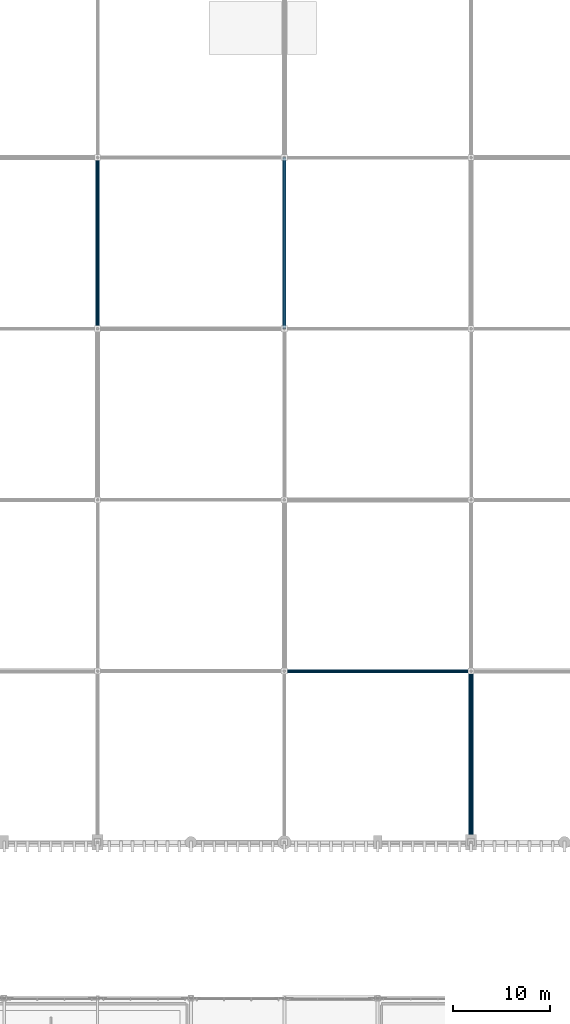
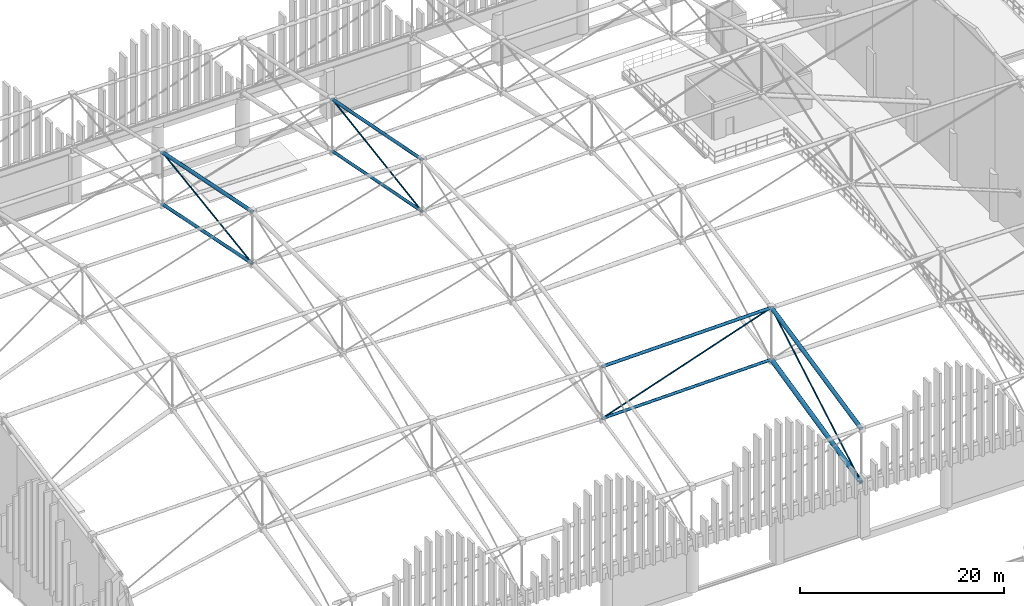
# One storey, part 59 of 193: 12 members.
"""IFC4 building model written with IfcOpenShell, lengths in metres."""

import ifcopenshell
import ifcopenshell.guid

model = None  # the IFC model being written
_history = None  # IfcOwnerHistory: only IFC2X3 demands one
_inside = {}  # id of a spatial element -> (the spatial element, [elements in it])
_under = {}  # id of a project, library or spatial element -> (it, [spatial elements below it])
_declared = {}  # id of a project -> (the project, [libraries it declares])
_typed = {}  # id of a type object -> (the type object, [elements of that type])
_made_of = {}  # id of a material, layer set ... -> (it, [elements and type objects made of it])


def new_model(schema):
    """Start an empty IFC model of exactly this schema.

    Asked for "IFC4X3", IfcOpenShell would pick the latest addendum, in which some entities
    have other attributes; the version numbers below select the first issue.
    IFC2X3 requires an IfcOwnerHistory on every rooted entity: one is made here for all.
    """
    global model, _history
    if schema == "IFC4X3":
        model = ifcopenshell.file(schema_version=(4, 3, 0, 0))
    else:
        model = ifcopenshell.file(schema=schema)
    _inside.clear()
    _under.clear()
    _declared.clear()
    _typed.clear()
    _made_of.clear()
    _history = None
    if model.schema == "IFC2X3":
        org = make("IfcOrganization", Name="unknown")
        user = make(
            "IfcPersonAndOrganization",
            ThePerson=make("IfcPerson", FamilyName="unknown"),
            TheOrganization=org,
        )
        app = make(
            "IfcApplication",
            ApplicationDeveloper=org,
            Version="unknown",
            ApplicationFullName="unknown",
            ApplicationIdentifier="unknown",
        )
        _history = make(
            "IfcOwnerHistory",
            OwningUser=user,
            OwningApplication=app,
            ChangeAction="ADDED",
            CreationDate=0,
        )
    return model


def make(cls, **values):
    """One entity of the class cls with the attributes given. An attribute that is None is left unset."""
    return model.create_entity(
        cls, **{name: value for name, value in values.items() if value is not None}
    )


def rooted(cls, **values):
    """An entity with a GlobalId (a new one), such as an element, a storey or a relation."""
    return make(cls, GlobalId=ifcopenshell.guid.new(), OwnerHistory=_history, **values)


def si_unit(unit_type, name, prefix=None):
    """IfcSIUnit, for example si_unit("LENGTHUNIT", "METRE", prefix="MILLI")."""
    return make("IfcSIUnit", UnitType=unit_type, Prefix=prefix, Name=name)


def assignment(units):
    """IfcUnitAssignment: the units of a project."""
    return None if units is None else make("IfcUnitAssignment", Units=units)


def point(xyz):
    """IfcCartesianPoint."""
    return None if xyz is None else make("IfcCartesianPoint", Coordinates=xyz)


def direction(xyz):
    """IfcDirection."""
    return None if xyz is None else make("IfcDirection", DirectionRatios=xyz)


def frame(location, z_axis=None, x_axis=None):
    """IfcAxis2Placement3D, a coordinate frame: its origin and axes. An axis left out is left unset."""
    return make(
        "IfcAxis2Placement3D",
        Location=point(location),
        Axis=direction(z_axis),
        RefDirection=direction(x_axis),
    )


def frame_2d(location, x_axis=None):
    """IfcAxis2Placement2D, a coordinate frame in the plane: its origin and x axis."""
    return make(
        "IfcAxis2Placement2D", Location=point(location), RefDirection=direction(x_axis)
    )


def origin():
    """The frame at (0, 0, 0) with its axes left unset."""
    return frame((0.0, 0.0, 0.0))


def origin_2d():
    """The frame at (0, 0) in the plane with its x axis left unset."""
    return frame_2d((0.0, 0.0))


def place(relative_to, where):
    """IfcLocalPlacement: puts the frame where relative to a parent placement (None: the world)."""
    return make(
        "IfcLocalPlacement", PlacementRelTo=relative_to, RelativePlacement=where
    )


def context(
    kind, dimensions, precision=None, world=None, true_north=None, identifier=None
):
    """IfcGeometricRepresentationContext, for example the 3D "Model" context."""
    return make(
        "IfcGeometricRepresentationContext",
        ContextIdentifier=identifier,
        ContextType=kind,
        CoordinateSpaceDimension=dimensions,
        Precision=precision,
        WorldCoordinateSystem=world,
        TrueNorth=true_north,
    )


def subcontext(parent, identifier, kind, view, scale=None):
    """IfcGeometricRepresentationSubContext, for example "Body" below "Model"."""
    return make(
        "IfcGeometricRepresentationSubContext",
        ContextIdentifier=identifier,
        ContextType=kind,
        ParentContext=parent,
        TargetScale=scale,
        TargetView=view,
    )


def project(units=None, contexts=None):
    """IfcProject with its units and contexts."""
    return rooted(
        "IfcProject",
        Name="project",
        RepresentationContexts=contexts,
        UnitsInContext=assignment(units),
    )


def spatial(cls, under=None, at=None, **own):
    """A site, building, storey or space (cls), placed at a placement, below another one or the project."""
    s = rooted(cls, ObjectPlacement=at, **own)
    if under is not None:
        _under.setdefault(under.id(), (under, []))[1].append(s)
    return s


def profile(cls, at=None, kind="AREA", **sizes):
    """A parametric profile (cls). Its sizes go by their IFC names, for example OverallWidth=200.0."""
    return make(cls, ProfileType=kind, Position=at, **sizes)


def hollow_circle(**sizes):
    """IfcCircleHollowProfileDef."""
    return profile("IfcCircleHollowProfileDef", **sizes)


def extrude(swept, where, along, depth):
    """IfcExtrudedAreaSolid: the profile swept, set in the frame where, extruded along a direction by depth."""
    return make(
        "IfcExtrudedAreaSolid",
        SweptArea=swept,
        Position=where,
        ExtrudedDirection=direction(along),
        Depth=depth,
    )


def shape(context_of_items, identifier, shape_type, items):
    """IfcShapeRepresentation: the items that make up one representation, for example the "Body"."""
    return make(
        "IfcShapeRepresentation",
        ContextOfItems=context_of_items,
        RepresentationIdentifier=identifier,
        RepresentationType=shape_type,
        Items=items,
    )


def material(Name=None, Category=None):
    """IfcMaterial."""
    return make("IfcMaterial", Name=Name, Category=Category)


def material_profile(
    of_material, cross_section, Name=None, Category=None, Priority=None
):
    """IfcMaterialProfile: a cross section and its material."""
    return make(
        "IfcMaterialProfile",
        Name=Name,
        Material=of_material,
        Profile=cross_section,
        Priority=Priority,
        Category=Category,
    )


def profile_set(profiles, Name=None, composite=None):
    """IfcMaterialProfileSet."""
    return make(
        "IfcMaterialProfileSet",
        Name=Name,
        MaterialProfiles=profiles,
        CompositeProfile=composite,
    )


def made_of(thing, what):
    """Note that an element or type object is made of a material, layer set ...; save() writes the relation."""
    if what is not None:
        _made_of.setdefault(what.id(), (what, []))[1].append(thing)
    return thing


def type_object(cls, material=None, **own):
    """A type object (cls), such as IfcWallType, which elements share."""
    return made_of(rooted(cls, **own), material)


def element(
    cls,
    number,
    at=None,
    inside=None,
    cuts=None,
    type_object=None,
    material=None,
    context=None,
    identifier="Body",
    shape_type=None,
    held_by="IfcProductDefinitionShape",
    body=None,
    shapes=None,
    **own,
):
    """One element of the class cls, such as IfcWall. Its Tag is "e" and its number.

    at: its placement. inside: the storey or other place that contains it. cuts: it is an
    opening in that element (IfcRelVoidsElement). A single representation is given by context,
    identifier, shape_type and body (its items); several are given by shapes. held_by: the class
    of the entity that holds the representations. save() writes the other relations.
    """
    e = rooted(cls, Tag="e%d" % number, ObjectPlacement=at, **own)
    if body is not None:
        shapes = [shape(context, identifier, shape_type, body)]
    if shapes is not None:
        e.Representation = make(held_by, Representations=shapes)
    if inside is not None:
        _inside.setdefault(inside.id(), (inside, []))[1].append(e)
    if cuts is not None:
        rooted(
            "IfcRelVoidsElement", RelatingBuildingElement=cuts, RelatedOpeningElement=e
        )
    if type_object is not None:
        _typed.setdefault(type_object.id(), (type_object, []))[1].append(e)
    return made_of(e, material)


def aggregate(whole, parts):
    """IfcRelAggregates: a whole, such as a stair, and the parts it consists of."""
    return rooted("IfcRelAggregates", RelatingObject=whole, RelatedObjects=parts)


def save(model, path):
    """Write the relations noted so far, then the file.

    IfcRelAggregates (storeys below a building ...), IfcRelContainedInSpatialStructure (elements
    in a storey), IfcRelDefinesByType, IfcRelAssociatesMaterial and IfcRelDeclares: one each for
    every whole, place, type object, material and project.
    """
    for whole, parts in _under.values():
        aggregate(whole, parts)
    for where, things in _inside.values():
        rooted(
            "IfcRelContainedInSpatialStructure",
            RelatedElements=things,
            RelatingStructure=where,
        )
    for kind, things in _typed.values():
        rooted("IfcRelDefinesByType", RelatedObjects=things, RelatingType=kind)
    for what, things in _made_of.values():
        rooted("IfcRelAssociatesMaterial", RelatedObjects=things, RelatingMaterial=what)
    for by, libraries in _declared.values():
        rooted("IfcRelDeclares", RelatingContext=by, RelatedDefinitions=libraries)
    model.write(path)


model = new_model("IFC4")

# Units and contexts
model_context = context("Model", 3, precision=1e-05, world=origin(), true_north=direction((0.0, 1.0)))
body_context = subcontext(model_context, "Body", "Model", "MODEL_VIEW")
ifc_project = project(units=[si_unit("LENGTHUNIT", "METRE"), si_unit("AREAUNIT", "SQUARE_METRE"), si_unit("VOLUMEUNIT", "CUBIC_METRE"), si_unit("PLANEANGLEUNIT", "RADIAN"), si_unit("MASSUNIT", "GRAM", prefix="KILO")], contexts=[model_context])

# Site, building, storey
site_placement = place(None, origin())
site = spatial("IfcSite", under=ifc_project, at=site_placement, CompositionType="ELEMENT")
building_placement = place(site_placement, origin())
building = spatial("IfcBuilding", under=site, at=building_placement, Name="Danafjord Basin Convention Centre", CompositionType="ELEMENT")
storey_placement = place(building_placement, frame((0.0, 0.0, 11.39990234375)))
storey = spatial("IfcBuildingStorey", under=building, at=storey_placement, Name="L02", CompositionType="ELEMENT", Elevation=11.39990234375)

# Members
ifc_material = material(Name="Steel S355", Category="steel")
ifc_material_profile_1 = material_profile(ifc_material, hollow_circle(Radius=0.161865234375, WallThickness=0.01611328125, at=origin_2d()), Name="CHS 323.9x16.0")
ifc_profile_set_1 = profile_set([ifc_material_profile_1], Name="Steel S355")
member_type_1 = type_object("IfcMemberType", Name="MEM-CH-CHS324", PredefinedType="CHORD", material=ifc_profile_set_1)
member_1_placement = place(storey_placement, frame((57.60009765625, 73.60009765625, 9.7109375), z_axis=(0.999824397611, 0.0, 0.018739635595), x_axis=(0.0, 1.0, 0.0)))
element("IfcMember", 1, at=member_1_placement, inside=storey, type_object=member_type_1, Name="V1 roof truss longitudinal bottom chord", PredefinedType="CHORD", context=body_context, shape_type="SweptSolid", body=[
    extrude(hollow_circle(Radius=0.161865234375, WallThickness=0.01611328125, at=origin_2d()), origin(), (0.0, 0.0, 1.0), 19.203369140625),
])
member_2_placement = place(storey_placement, frame((57.60009765625, 108.800048828125, 13.160400390625), z_axis=(0.0, 0.981329420486, -0.192334522355), x_axis=(-1.0, 0.0, 0.0)))
element("IfcMember", 2, at=member_2_placement, inside=storey, type_object=member_type_1, Name="V1 roof truss transverse bottom chord", PredefinedType="CHORD", context=body_context, shape_type="SweptSolid", body=[
    extrude(hollow_circle(Radius=0.161865234375, WallThickness=0.01611328125, at=origin_2d()), origin(), (0.0, 0.0, 1.0), 17.934814453125),
])
ifc_material_profile_2 = material_profile(ifc_material, hollow_circle(Radius=0.177734375, WallThickness=0.01611328125, at=origin_2d()), Name="CHS 355.6x16.0")
ifc_profile_set_2 = profile_set([ifc_material_profile_2], Name="Steel S355")
member_type_2 = type_object("IfcMemberType", Name="MEM-CH-CHS355", PredefinedType="CHORD", material=ifc_profile_set_2)
member_3_placement = place(storey_placement, frame((38.39990234375, 108.800048828125, 13.655517578125), z_axis=(0.0, 0.979881323985, -0.19958103844), x_axis=(-1.0, 0.0, 0.0)))
element("IfcMember", 3, at=member_3_placement, inside=storey, type_object=member_type_2, Name="V1 roof truss transverse bottom chord", PredefinedType="CHORD", context=body_context, shape_type="SweptSolid", body=[
    extrude(hollow_circle(Radius=0.177734375, WallThickness=0.01611328125, at=origin_2d()), origin(), (0.0, 0.0, 1.0), 17.961181640625),
])
member_4_placement = place(storey_placement, frame((57.60009765625, 73.60009765625, 15.910888671875), z_axis=(0.999824159326, 0.0, 0.018752344583), x_axis=(0.0, 1.0, 0.0)))
element("IfcMember", 4, at=member_4_placement, inside=storey, type_object=member_type_2, Name="V1 roof truss longitudinal top chord", PredefinedType="CHORD", context=body_context, shape_type="SweptSolid", body=[
    extrude(hollow_circle(Radius=0.177734375, WallThickness=0.01611328125, at=origin_2d()), origin(), (0.0, 0.0, 1.0), 19.203369140625),
])
member_5_placement = place(storey_placement, frame((57.60009765625, 108.800048828125, 19.360595703125), z_axis=(0.0, 0.981326851087, -0.192347631481), x_axis=(-1.0, 0.0, 0.0)))
element("IfcMember", 5, at=member_5_placement, inside=storey, type_object=member_type_2, Name="V1 roof truss transverse top chord", PredefinedType="CHORD", context=body_context, shape_type="SweptSolid", body=[
    extrude(hollow_circle(Radius=0.177734375, WallThickness=0.01611328125, at=origin_2d()), origin(), (0.0, 0.0, 1.0), 17.934814453125),
])
ifc_material_profile_3 = material_profile(ifc_material, hollow_circle(Radius=0.203125, WallThickness=0.02001953125, at=origin_2d()), Name="CHS 406.4x20.0")
ifc_profile_set_3 = profile_set([ifc_material_profile_3], Name="Steel S355")
member_type_3 = type_object("IfcMemberType", Name="MEM-CH-CHS406", PredefinedType="CHORD", material=ifc_profile_set_3)
member_6_placement = place(storey_placement, frame((38.39990234375, 108.800048828125, 19.85546875), z_axis=(0.0, 0.979883982164, -0.199567987157), x_axis=(-1.0, 0.0, 0.0)))
element("IfcMember", 6, at=member_6_placement, inside=storey, type_object=member_type_3, Name="V1 roof truss transverse top chord", PredefinedType="CHORD", context=body_context, shape_type="SweptSolid", body=[
    extrude(hollow_circle(Radius=0.203125, WallThickness=0.02001953125, at=origin_2d()), origin(), (0.0, 0.0, 1.0), 17.961181640625),
])
ifc_material_profile_4 = material_profile(ifc_material, hollow_circle(Radius=0.228515625, WallThickness=0.02001953125, at=origin_2d()), Name="CHS 457.0x20.0")
ifc_profile_set_4 = profile_set([ifc_material_profile_4], Name="Steel S355")
member_type_4 = type_object("IfcMemberType", Name="MEM-CH-CHS457", PredefinedType="CHORD", material=ifc_profile_set_4)
member_7_placement = place(storey_placement, frame((76.800048828125, 56.0, 12.47509765625), z_axis=(0.0, 0.977523345498, 0.210827201773), x_axis=(-1.0, 0.0, 0.0)))
element("IfcMember", 7, at=member_7_placement, inside=storey, type_object=member_type_4, Name="V1 roof truss transverse top chord", PredefinedType="CHORD", context=body_context, shape_type="SweptSolid", body=[
    extrude(hollow_circle(Radius=0.228515625, WallThickness=0.02001953125, at=origin_2d()), origin(), (0.0, 0.0, 1.0), 18.0048828125),
])
ifc_material_profile_5 = material_profile(ifc_material, hollow_circle(Radius=0.25390625, WallThickness=0.02490234375, at=origin_2d()), Name="CHS 508.0x25.0")
ifc_profile_set_5 = profile_set([ifc_material_profile_5], Name="Steel S355")
member_type_5 = type_object("IfcMemberType", Name="MEM-CH-CHS508", PredefinedType="CHORD", material=ifc_profile_set_5)
member_8_placement = place(storey_placement, frame((76.800048828125, 56.0, 6.050048828125), z_axis=(0.0, 0.97488409866, 0.222712806503), x_axis=(-1.0, 0.0, 0.0)))
element("IfcMember", 8, at=member_8_placement, inside=storey, type_object=member_type_5, Name="V1 roof truss transverse bottom chord", PredefinedType="CHORD", context=body_context, shape_type="SweptSolid", body=[
    extrude(hollow_circle(Radius=0.25390625, WallThickness=0.02490234375, at=origin_2d()), origin(), (0.0, 0.0, 1.0), 18.053466796875),
])
ifc_material_profile_6 = material_profile(ifc_material, hollow_circle(Radius=0.084228515625, WallThickness=0.008056640625, at=origin_2d()), Name="CHS 168.3x8.0")
ifc_profile_set_6 = profile_set([ifc_material_profile_6], Name="Steel S355")
member_type_6 = type_object("IfcMemberType", Name="MEM-WB-CHS168", PredefinedType="MEMBER", material=ifc_profile_set_6)
member_9_placement = place(storey_placement, frame((38.39990234375, 108.800048828125, 13.655517578125), z_axis=(0.0, 0.98913742748, 0.146993705844), x_axis=(-1.0, 0.0, 0.0)))
element("IfcMember", 9, at=member_9_placement, inside=storey, type_object=member_type_6, Name="V1 space-frame transverse web", PredefinedType="MEMBER", context=body_context, shape_type="SweptSolid", body=[
    extrude(hollow_circle(Radius=0.084228515625, WallThickness=0.008056640625, at=origin_2d()), origin(), (0.0, 0.0, 1.0), 17.793212890625),
])
member_10_placement = place(storey_placement, frame((57.60009765625, 73.60009765625, 9.7109375), z_axis=(0.946289887688, 0.0, 0.323319421718), x_axis=(0.0, 1.0, 0.0)))
element("IfcMember", 10, at=member_10_placement, inside=storey, type_object=member_type_6, Name="V1 space-frame longitudinal web", PredefinedType="MEMBER", context=body_context, shape_type="SweptSolid", body=[
    extrude(hollow_circle(Radius=0.084228515625, WallThickness=0.008056640625, at=origin_2d()), origin(), (0.0, 0.0, 1.0), 20.289794921875),
])
member_11_placement = place(storey_placement, frame((57.60009765625, 108.800048828125, 13.160400390625), z_axis=(0.0, 0.988007656514, 0.154404891985), x_axis=(-1.0, 0.0, 0.0)))
element("IfcMember", 11, at=member_11_placement, inside=storey, type_object=member_type_6, Name="V1 space-frame transverse web", PredefinedType="MEMBER", context=body_context, shape_type="SweptSolid", body=[
    extrude(hollow_circle(Radius=0.084228515625, WallThickness=0.008056640625, at=origin_2d()), origin(), (0.0, 0.0, 1.0), 17.8134765625),
])
member_12_placement = place(storey_placement, frame((76.800048828125, 56.0, 6.050048828125), z_axis=(0.0, 0.864756178829, 0.502191946548), x_axis=(-1.0, 0.0, 0.0)))
element("IfcMember", 12, at=member_12_placement, inside=storey, type_object=member_type_6, Name="V1 space-frame transverse web", PredefinedType="MEMBER", context=body_context, shape_type="SweptSolid", body=[
    extrude(hollow_circle(Radius=0.084228515625, WallThickness=0.008056640625, at=origin_2d()), origin(), (0.0, 0.0, 1.0), 20.352783203125),
])

save(model, "model.ifc")
